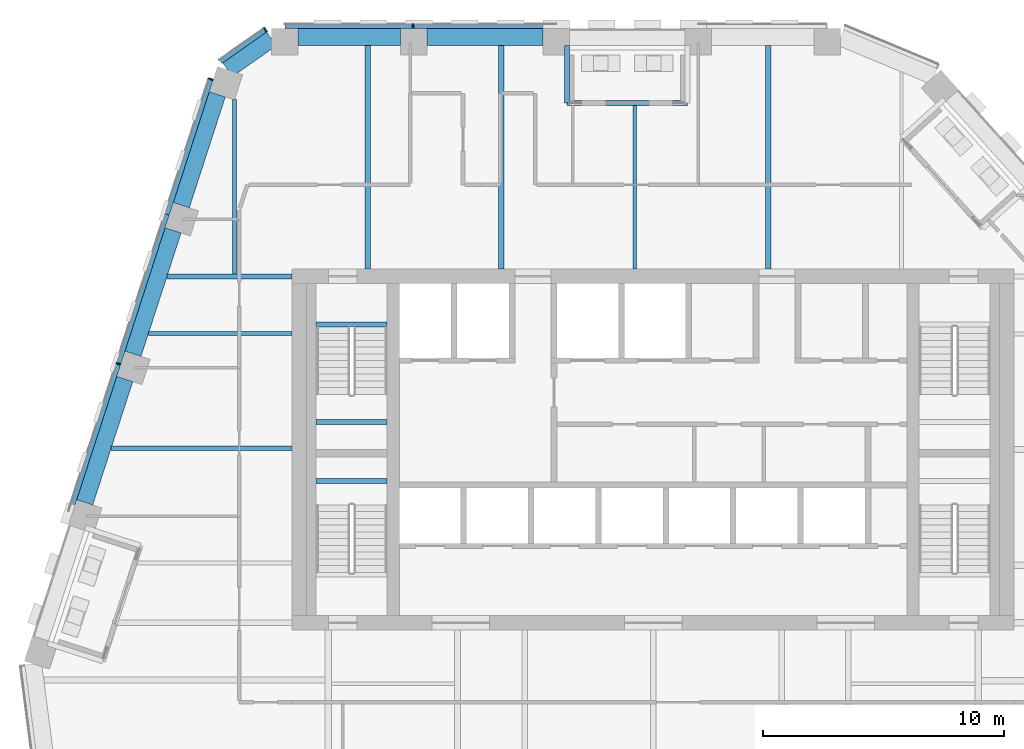
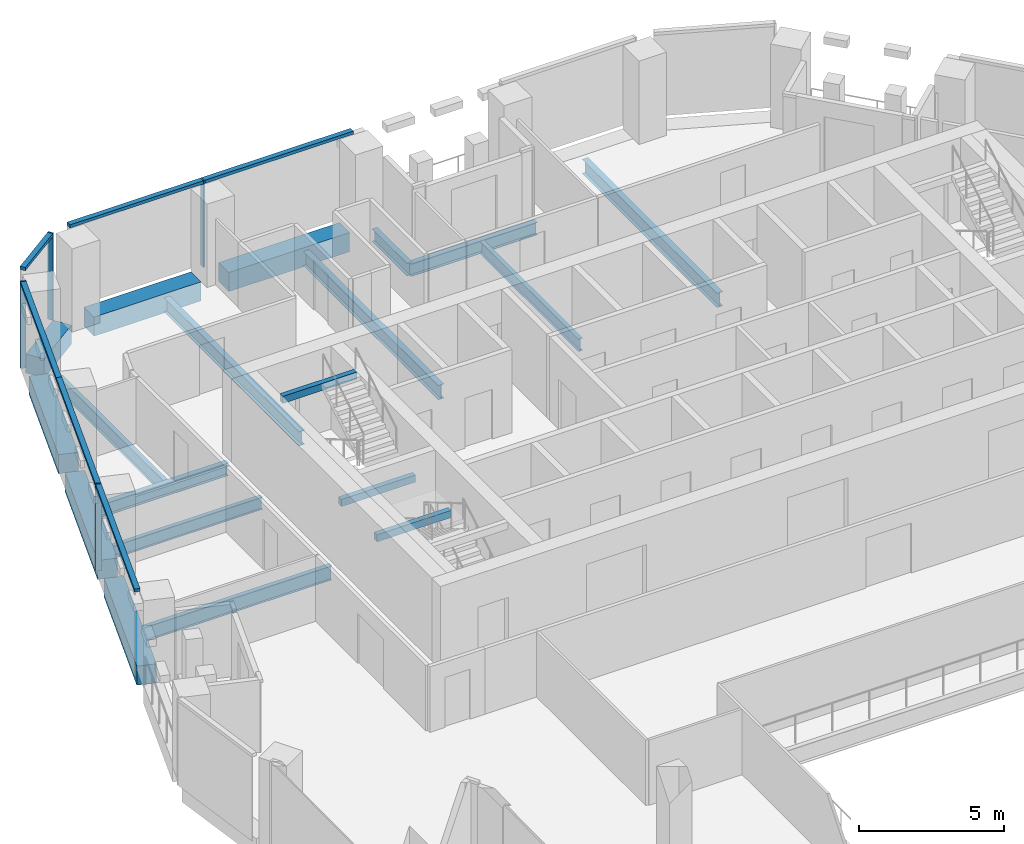
# One storey, part 6 of 24: 19 beams, 10 members, 3 elements without a shape of their own.
"""IFC4 building model written with IfcOpenShell, lengths in metres."""

from ifc_helpers import new_model, si_unit, direction, frame, origin, origin_2d, place, context, subcontext, project, spatial, rectangle, i_section, extrude, material, layer, layer_set, material_profile, profile_set, type_object, element, aggregate, save


model = new_model("IFC4")

# Units and contexts
model_context = context("Model", 3, precision=1e-05, world=origin(), true_north=direction((0.0, 1.0)))
body_context = subcontext(model_context, "Body", "Model", "MODEL_VIEW")
ifc_project = project(units=[si_unit("LENGTHUNIT", "METRE"), si_unit("AREAUNIT", "SQUARE_METRE"), si_unit("VOLUMEUNIT", "CUBIC_METRE"), si_unit("PLANEANGLEUNIT", "RADIAN"), si_unit("MASSUNIT", "GRAM", prefix="KILO")], contexts=[model_context])

# Site, building, storey
site_placement = place(None, origin())
site = spatial("IfcSite", under=ifc_project, at=site_placement, CompositionType="ELEMENT")
building_placement = place(site_placement, origin())
building = spatial("IfcBuilding", under=site, at=building_placement, Name="Isthmus Gate Tower", CompositionType="ELEMENT")
storey_placement = place(building_placement, frame((0.0, 0.0, 234.550048828125)))
storey = spatial("IfcBuildingStorey", under=building, at=storey_placement, Name="L59", CompositionType="ELEMENT", Elevation=234.550048828125)

# Curtain wall, member
ifc_material_1 = material(Name="Aluminium, pale champagne anodised", Category="aluminium")
ifc_layer = layer(ifc_material_1, 0.199951171875)
ifc_layer_set = layer_set([ifc_layer], Name="CW-1 UNITISED CURTAIN WALL 200 DEEP")
curtain_wall_type = type_object("IfcCurtainWallType", Name="CW-1 UNITISED CURTAIN WALL 200 DEEP", PredefinedType="NOTDEFINED", material=ifc_layer_set)
curtain_wall_1_placement = place(storey_placement, origin())
curtain_wall_1 = element("IfcCurtainWall", 1, at=curtain_wall_1_placement, inside=storey, type_object=curtain_wall_type, Name="CW-1 N L59", PredefinedType="NOTDEFINED")
ifc_material_2 = material(Name="Aluminium, pale champagne anodised", Category="aluminium")
ifc_material_profile_1 = material_profile(ifc_material_2, rectangle(XDim=0.06005859375, YDim=0.199951171875, at=origin_2d()), Name="60x200")
ifc_profile_set_1 = profile_set([ifc_material_profile_1], Name="Aluminium, pale champagne anodised")
member_type_1 = type_object("IfcMemberType", Name="CW-1 MULLION 60 X 200", PredefinedType="MULLION", material=ifc_profile_set_1)
member_1_placement = place(storey_placement, frame((-9.970703125, 25.10009765625, 0.0), z_axis=(0.0, 0.0, 1.0), x_axis=(-1.0, 0.0, 0.0)))
member_1 = element("IfcMember", 2, at=member_1_placement, type_object=member_type_1, Name="CW-1 mullion", PredefinedType="MULLION", context=body_context, shape_type="SweptSolid", body=[
    extrude(rectangle(XDim=0.06005859375, YDim=0.199951171875, at=origin_2d()), origin(), (0.0, 0.0, 1.0), 3.64990234375),
])

curtain_wall_2_placement = place(storey_placement, origin())
curtain_wall_2 = element("IfcCurtainWall", 3, at=curtain_wall_2_placement, inside=storey, type_object=curtain_wall_type, Name="CW-1 N-NW L59", PredefinedType="NOTDEFINED")
member_2_placement = place(storey_placement, frame((-16.10595703125, 24.943115234375, 0.0), z_axis=(0.0, 0.0, 1.0), x_axis=(-0.81785959165, -0.57541783805, 0.0)))
member_2 = element("IfcMember", 4, at=member_2_placement, type_object=member_type_1, Name="CW-1 mullion", PredefinedType="MULLION", context=body_context, shape_type="SweptSolid", body=[
    extrude(rectangle(XDim=0.06005859375, YDim=0.199951171875, at=origin_2d()), origin(), (0.0, 0.0, 1.0), 3.64990234375),
])

# Curtain wall, members
curtain_wall_3_placement = place(storey_placement, origin())
curtain_wall_3 = element("IfcCurtainWall", 5, at=curtain_wall_3_placement, inside=storey, type_object=curtain_wall_type, Name="CW-1 NW L59", PredefinedType="NOTDEFINED")
member_3_placement = place(storey_placement, frame((-18.37841796875, 22.894287109375, 0.0), z_axis=(0.0, 0.0, 1.0), x_axis=(-0.309016994375, -0.951056516295, 0.0)))
member_3 = element("IfcMember", 6, at=member_3_placement, type_object=member_type_1, Name="CW-1 mullion", PredefinedType="MULLION", context=body_context, shape_type="SweptSolid", body=[
    extrude(rectangle(XDim=0.06005859375, YDim=0.199951171875, at=origin_2d()), origin(), (0.0, 0.0, 1.0), 3.64990234375),
])
member_4_placement = place(storey_placement, frame((-22.220703125, 11.069091796875, 0.0), z_axis=(0.0, 0.0, 1.0), x_axis=(-0.309016994375, -0.951056516295, 0.0)))
member_4 = element("IfcMember", 7, at=member_4_placement, type_object=member_type_1, Name="CW-1 mullion", PredefinedType="MULLION", context=body_context, shape_type="SweptSolid", body=[
    extrude(rectangle(XDim=0.06005859375, YDim=0.199951171875, at=origin_2d()), origin(), (0.0, 0.0, 1.0), 3.64990234375),
])

# Member
ifc_material_3 = material(Name="Aluminium, pale champagne anodised", Category="aluminium")
ifc_material_profile_2 = material_profile(ifc_material_3, rectangle(XDim=0.199951171875, YDim=0.1298828125, at=origin_2d()), Name="200x130")
ifc_profile_set_2 = profile_set([ifc_material_profile_2], Name="Aluminium, pale champagne anodised")
member_type_2 = type_object("IfcMemberType", Name="CW-1 TRANSOM 200 X 130", PredefinedType="USERDEFINED", material=ifc_profile_set_2)
member_5_placement = place(storey_placement, frame((-4.030029296875, 25.10009765625, 3.5849609375), z_axis=(-1.0, 0.0, 0.0), x_axis=(0.0, -1.0, 0.0)))
member_5 = element("IfcMember", 8, at=member_5_placement, type_object=member_type_2, Name="CW-1 transom", ObjectType="TRANSOM", PredefinedType="USERDEFINED", context=body_context, shape_type="SweptSolid", body=[
    extrude(rectangle(XDim=0.199951171875, YDim=0.1298828125, at=origin_2d()), origin(), (0.0, 0.0, 1.0), 5.91064453125),
])

member_6_placement = place(storey_placement, frame((-10.000732421875, 25.10009765625, 3.5849609375), z_axis=(-1.0, 0.0, 0.0), x_axis=(0.0, -1.0, 0.0)))
member_6 = element("IfcMember", 9, at=member_6_placement, type_object=member_type_2, Name="CW-1 transom", ObjectType="TRANSOM", PredefinedType="USERDEFINED", context=body_context, shape_type="SweptSolid", body=[
    extrude(rectangle(XDim=0.199951171875, YDim=0.1298828125, at=origin_2d()), origin(), (0.0, 0.0, 1.0), 5.300537109375),
])

aggregate(curtain_wall_1, [member_5, member_1, member_6])

member_7_placement = place(storey_placement, frame((-16.130615234375, 24.92578125, 3.5849609375), z_axis=(-0.817868595604, -0.575405040233, 0.0), x_axis=(0.575405040233, -0.817868595604, 0.0)))
member_7 = element("IfcMember", 10, at=member_7_placement, type_object=member_type_2, Name="CW-1 transom", ObjectType="TRANSOM", PredefinedType="USERDEFINED", context=body_context, shape_type="SweptSolid", body=[
    extrude(rectangle(XDim=0.199951171875, YDim=0.1298828125, at=origin_2d()), origin(), (0.0, 0.0, 1.0), 2.258544921875),
])

aggregate(curtain_wall_2, [member_2, member_7])

member_8_placement = place(storey_placement, frame((-18.3876953125, 22.86572265625, 3.5849609375), z_axis=(-0.309021311898, -0.951055113436, 0.0), x_axis=(0.951055113436, -0.309021311898, 0.0)))
member_8 = element("IfcMember", 11, at=member_8_placement, type_object=member_type_2, Name="CW-1 transom", ObjectType="TRANSOM", PredefinedType="USERDEFINED", context=body_context, shape_type="SweptSolid", body=[
    extrude(rectangle(XDim=0.199951171875, YDim=0.1298828125, at=origin_2d()), origin(), (0.0, 0.0, 1.0), 5.8818359375),
])

member_9_placement = place(storey_placement, frame((-20.205322265625, 17.271728515625, 3.5849609375), z_axis=(-0.309020593362, -0.951055346906, 0.0), x_axis=(0.951055346906, -0.309020593362, 0.0)))
member_9 = element("IfcMember", 12, at=member_9_placement, type_object=member_type_2, Name="CW-1 transom", ObjectType="TRANSOM", PredefinedType="USERDEFINED", context=body_context, shape_type="SweptSolid", body=[
    extrude(rectangle(XDim=0.199951171875, YDim=0.1298828125, at=origin_2d()), origin(), (0.0, 0.0, 1.0), 6.49169921875),
])

member_10_placement = place(storey_placement, frame((-22.22998046875, 11.04052734375, 3.5849609375), z_axis=(-0.309010542947, -0.951058612467, 0.0), x_axis=(0.951058612467, -0.309010542947, 0.0)))
member_10 = element("IfcMember", 13, at=member_10_placement, type_object=member_type_2, Name="CW-1 transom", ObjectType="TRANSOM", PredefinedType="USERDEFINED", context=body_context, shape_type="SweptSolid", body=[
    extrude(rectangle(XDim=0.199951171875, YDim=0.1298828125, at=origin_2d()), origin(), (0.0, 0.0, 1.0), 6.431884765625),
])

aggregate(curtain_wall_3, [member_3, member_8, member_9, member_4, member_10])

# Beams
ifc_material_4 = material(Name="Concrete f'c 50 MPa", Category="concrete")
ifc_material_profile_3 = material_profile(ifc_material_4, rectangle(XDim=0.699951171875, YDim=0.800048828125, at=origin_2d()), Name="RC 700X800")
ifc_profile_set_3 = profile_set([ifc_material_profile_3], Name="Concrete f'c 50 MPa")
beam_type_1 = type_object("IfcBeamType", Name="RC SPANDREL 700 X 800", PredefinedType="SPANDREL", material=ifc_profile_set_3)
for number, where, z_axis, x_axis, name in (
    (14, (-23.61962890625, 5.307373046875, -0.400146484375), (0.309032831924, 0.951051370218, 0.0), (-0.951051370218, 0.309032831924, 0.0), "str-spandrel-L59-22"),
    (15, (-21.613525390625, 11.481689453125, -0.400146484375), (0.309032831924, 0.951051370218, 0.0), (-0.951051370218, 0.309032831924, 0.0), "str-spandrel-L59-23"),
):
    element("IfcBeam", number, at=place(storey_placement, frame(where, z_axis=z_axis, x_axis=x_axis)), inside=storey, type_object=beam_type_1, Name=name, PredefinedType="SPANDREL", context=body_context, shape_type="SweptSolid", body=[
        extrude(rectangle(XDim=0.699951171875, YDim=0.800048828125, at=origin_2d()), origin(), (0.0, 0.0, 1.0), 5.391845703125),
    ])
beam_1_placement = place(storey_placement, frame((-19.607421875, 17.65576171875, -0.400146484375), z_axis=(0.309033626624, 0.951051111989, 0.0), x_axis=(-0.951051111989, 0.309033626624, 0.0)))
element("IfcBeam", 16, at=beam_1_placement, inside=storey, type_object=beam_type_1, Name="str-spandrel-L59-24", PredefinedType="SPANDREL", context=body_context, shape_type="SweptSolid", body=[
    extrude(rectangle(XDim=0.699951171875, YDim=0.800048828125, at=origin_2d()), origin(), (0.0, 0.0, 1.0), 4.842041015625),
])
beam_2_placement = place(storey_placement, frame((-17.68798828125, 23.27978515625, -0.400146484375), z_axis=(0.817855686701, 0.575423388237, 0.0), x_axis=(-0.575423388237, 0.817855686701, 0.0)))
element("IfcBeam", 17, at=beam_2_placement, inside=storey, type_object=beam_type_1, Name="str-spandrel-L59-25", PredefinedType="SPANDREL", context=body_context, shape_type="SweptSolid", body=[
    extrude(rectangle(XDim=0.699951171875, YDim=0.800048828125, at=origin_2d()), origin(), (0.0, 0.0, 1.0), 2.24560546875),
])
beam_3_placement = place(storey_placement, frame((-14.751220703125, 24.64990234375, -0.400146484375), z_axis=(1.0, 0.0, 0.0), x_axis=(0.0, 1.0, 0.0)))
element("IfcBeam", 18, at=beam_3_placement, inside=storey, type_object=beam_type_1, Name="str-spandrel-L59-26", PredefinedType="SPANDREL", context=body_context, shape_type="SweptSolid", body=[
    extrude(rectangle(XDim=0.699951171875, YDim=0.800048828125, at=origin_2d()), origin(), (0.0, 0.0, 1.0), 4.260498046875),
])
beam_4_placement = place(storey_placement, frame((-9.390625, 24.64990234375, -0.400146484375), z_axis=(1.0, 0.0, 0.0), x_axis=(0.0, 1.0, 0.0)))
element("IfcBeam", 19, at=beam_4_placement, inside=storey, type_object=beam_type_1, Name="str-spandrel-L59-27", PredefinedType="SPANDREL", context=body_context, shape_type="SweptSolid", body=[
    extrude(rectangle(XDim=0.699951171875, YDim=0.800048828125, at=origin_2d()), origin(), (0.0, 0.0, 1.0), 4.810546875),
])
ifc_material_5 = material(Name="Concrete f'c 40 MPa", Category="concrete")
ifc_material_profile_4 = material_profile(ifc_material_5, rectangle(XDim=0.199951171875, YDim=0.300048828125, at=origin_2d()), Name="STAIR LANDING BEAM RC 200 X 300")
ifc_profile_set_4 = profile_set([ifc_material_profile_4], Name="Concrete f'c 40 MPa")
beam_type_2 = type_object("IfcBeamType", Name="STAIR LANDING BEAM RC 200 X 300", PredefinedType="BEAM", material=ifc_profile_set_4)
for number, where, z_axis, x_axis, name in (
    (20, (-14.0, 8.64990234375, 1.474853515625), (1.0, 0.0, 0.0), (0.0, 1.0, 0.0), "L59 ST1 landing beam 1"),
    (21, (-14.0, 12.7001953125, 3.349853515625), (1.0, 0.0, 0.0), (0.0, 1.0, 0.0), "L59 ST1 floor-edge seat beam"),
    (22, (-14.0, 6.199951171875, 1.474853515625), (1.0, 0.0, 0.0), (0.0, 1.0, 0.0), "L59 ST7 landing beam 1"),
):
    element("IfcBeam", number, at=place(storey_placement, frame(where, z_axis=z_axis, x_axis=x_axis)), inside=storey, type_object=beam_type_2, Name=name, PredefinedType="BEAM", context=body_context, shape_type="SweptSolid", body=[
        extrude(rectangle(XDim=0.199951171875, YDim=0.300048828125, at=origin_2d()), origin(), (0.0, 0.0, 1.0), 2.949951171875),
    ])
ifc_material_6 = material(Name="Structural steel ASTM A992 Gr 50", Category="steel")
ifc_material_profile_5 = material_profile(ifc_material_6, i_section(OverallWidth=0.1650390625, OverallDepth=0.52392578125, WebThickness=0.009521484375, FlangeThickness=0.010986328125, at=origin_2d()), Name="W21X44")
ifc_profile_set_5 = profile_set([ifc_material_profile_5], Name="Structural steel ASTM A992 Gr 50")
beam_type_3 = type_object("IfcBeamType", Name="STEEL FLOOR BEAM W21X44", PredefinedType="JOIST", material=ifc_profile_set_5)
beam_5_placement = place(storey_placement, frame((-20.973388671875, 12.319091796875, -0.412109375), z_axis=(1.0, 0.0, 0.0), x_axis=(0.0, 1.0, 0.0)))
element("IfcBeam", 23, at=beam_5_placement, inside=storey, type_object=beam_type_3, Name="str-beam-L59-03-02", PredefinedType="JOIST", context=body_context, shape_type="SweptSolid", body=[
    extrude(i_section(OverallWidth=0.1650390625, OverallDepth=0.52392578125, WebThickness=0.009521484375, FlangeThickness=0.010986328125, at=origin_2d()), origin(), (0.0, 0.0, 1.0), 5.973388671875),
])
beam_6_placement = place(storey_placement, frame((-0.76611328125, 15.0, -0.412109375), z_axis=(0.0, 1.0, 0.0), x_axis=(-1.0, 0.0, 0.0)))
element("IfcBeam", 24, at=beam_6_placement, inside=storey, type_object=beam_type_3, Name="str-beam-L59-07-03", PredefinedType="JOIST", context=body_context, shape_type="SweptSolid", body=[
    extrude(i_section(OverallWidth=0.1650390625, OverallDepth=0.52392578125, WebThickness=0.009521484375, FlangeThickness=0.010986328125, at=origin_2d()), origin(), (0.0, 0.0, 1.0), 6.79052734375),
])
ifc_material_7 = material(Name="Structural steel ASTM A992 Gr 50", Category="steel")
ifc_material_profile_6 = material_profile(ifc_material_7, i_section(OverallWidth=0.177734375, OverallDepth=0.60009765625, WebThickness=0.009521484375, FlangeThickness=0.0126953125, at=origin_2d()), Name="W24X55")
ifc_profile_set_6 = profile_set([ifc_material_profile_6], Name="Structural steel ASTM A992 Gr 50")
beam_type_4 = type_object("IfcBeamType", Name="STEEL FLOOR BEAM W24X55", PredefinedType="JOIST", material=ifc_profile_set_6)
beam_7_placement = place(storey_placement, frame((-22.520751953125, 7.55712890625, -0.4501953125), z_axis=(1.0, 0.0, 0.0), x_axis=(0.0, 1.0, 0.0)))
element("IfcBeam", 25, at=beam_7_placement, inside=storey, type_object=beam_type_4, Name="str-beam-L59-03-01", PredefinedType="JOIST", context=body_context, shape_type="SweptSolid", body=[
    extrude(i_section(OverallWidth=0.177734375, OverallDepth=0.60009765625, WebThickness=0.009521484375, FlangeThickness=0.0126953125, at=origin_2d()), origin(), (0.0, 0.0, 1.0), 7.520751953125),
])
beam_8_placement = place(storey_placement, frame((-17.394287109375, 14.8046875, -0.4501953125), z_axis=(0.0, 1.0, 0.0), x_axis=(-1.0, 0.0, 0.0)))
element("IfcBeam", 26, at=beam_8_placement, inside=storey, type_object=beam_type_4, Name="str-beam-L59-07-00", PredefinedType="JOIST", context=body_context, shape_type="SweptSolid", body=[
    extrude(i_section(OverallWidth=0.177734375, OverallDepth=0.60009765625, WebThickness=0.009521484375, FlangeThickness=0.0126953125, at=origin_2d()), origin(), (0.0, 0.0, 1.0), 7.235107421875),
])
ifc_material_8 = material(Name="Structural steel ASTM A992 Gr 50", Category="steel")
ifc_material_profile_7 = material_profile(ifc_material_8, i_section(OverallWidth=0.228515625, OverallDepth=0.603271484375, WebThickness=0.010986328125, FlangeThickness=0.014404296875, at=origin_2d()), Name="W24X68")
ifc_profile_set_7 = profile_set([ifc_material_profile_7], Name="Structural steel ASTM A992 Gr 50")
beam_type_5 = type_object("IfcBeamType", Name="STEEL FLOOR BEAM W24X68", PredefinedType="JOIST", material=ifc_profile_set_7)
for number, where, z_axis, x_axis, name in (
    (27, (-11.8515625, 15.0, -0.45166015625), (0.0, 1.0, 0.0), (-1.0, 0.0, 0.0), "str-beam-L59-07-01"),
    (28, (-6.308837890625, 15.0, -0.45166015625), (0.0, 1.0, 0.0), (-1.0, 0.0, 0.0), "str-beam-L59-07-02"),
    (29, (4.776611328125, 15.0, -0.45166015625), (0.0, 1.0, 0.0), (-1.0, 0.0, 0.0), "str-beam-L59-07-04"),
):
    element("IfcBeam", number, at=place(storey_placement, frame(where, z_axis=z_axis, x_axis=x_axis)), inside=storey, type_object=beam_type_5, Name=name, PredefinedType="JOIST", context=body_context, shape_type="SweptSolid", body=[
        extrude(i_section(OverallWidth=0.228515625, OverallDepth=0.603271484375, WebThickness=0.010986328125, FlangeThickness=0.014404296875, at=origin_2d()), origin(), (0.0, 0.0, 1.0), 9.300048828125),
    ])
ifc_material_9 = material(Name="Structural steel ASTM A992 Gr 50", Category="steel")
ifc_material_profile_8 = material_profile(ifc_material_9, i_section(OverallWidth=0.20947265625, OverallDepth=0.533447265625, WebThickness=0.009521484375, FlangeThickness=0.015869140625, at=origin_2d()), Name="W21X62")
ifc_profile_set_8 = profile_set([ifc_material_profile_8], Name="Structural steel ASTM A992 Gr 50")
beam_type_6 = type_object("IfcBeamType", Name="STEEL GIRDER W21X62", PredefinedType="BEAM", material=ifc_profile_set_8)
beam_9_placement = place(storey_placement, frame((-15.0, 14.699951171875, -0.416748046875), z_axis=(-1.0, 0.0, 0.0), x_axis=(0.0, -1.0, 0.0)))
element("IfcBeam", 30, at=beam_9_placement, inside=storey, type_object=beam_type_6, Name="str-girder-L59-11", PredefinedType="BEAM", context=body_context, shape_type="SweptSolid", body=[
    extrude(i_section(OverallWidth=0.20947265625, OverallDepth=0.533447265625, WebThickness=0.009521484375, FlangeThickness=0.015869140625, at=origin_2d()), origin(), (0.0, 0.0, 1.0), 5.19970703125),
])
ifc_material_10 = material(Name="Structural steel ASTM A992 Gr 50", Category="steel")
ifc_material_profile_9 = material_profile(ifc_material_10, i_section(OverallWidth=0.20947265625, OverallDepth=0.533447265625, WebThickness=0.009521484375, FlangeThickness=0.015869140625, at=origin_2d()), Name="W21X62")
ifc_profile_set_9 = profile_set([ifc_material_profile_9], Name="Structural steel ASTM A992 Gr 50")
beam_type_7 = type_object("IfcBeamType", Name="STEEL TRIMMER W21X62", PredefinedType="BEAM", material=ifc_profile_set_9)
beam_10_placement = place(storey_placement, frame((1.435302734375, 21.895263671875, -0.416748046875), z_axis=(-1.0, 0.0, 0.0), x_axis=(0.0, -1.0, 0.0)))
element("IfcBeam", 31, at=beam_10_placement, inside=storey, type_object=beam_type_7, Name="str-loggiatrim-L59-01-B", PredefinedType="BEAM", context=body_context, shape_type="SweptSolid", body=[
    extrude(i_section(OverallWidth=0.20947265625, OverallDepth=0.533447265625, WebThickness=0.009521484375, FlangeThickness=0.015869140625, at=origin_2d()), origin(), (0.0, 0.0, 1.0), 5.020263671875),
])
beam_11_placement = place(storey_placement, frame((-3.5849609375, 24.300048828125, -0.416748046875), z_axis=(0.0, -1.0, 0.0), x_axis=(1.0, 0.0, 0.0)))
element("IfcBeam", 32, at=beam_11_placement, inside=storey, type_object=beam_type_7, Name="str-loggiatrim-L59-01-C", PredefinedType="BEAM", context=body_context, shape_type="SweptSolid", body=[
    extrude(i_section(OverallWidth=0.20947265625, OverallDepth=0.533447265625, WebThickness=0.009521484375, FlangeThickness=0.015869140625, at=origin_2d()), origin(), (0.0, 0.0, 1.0), 2.40478515625),
])

save(model, "model.ifc")
